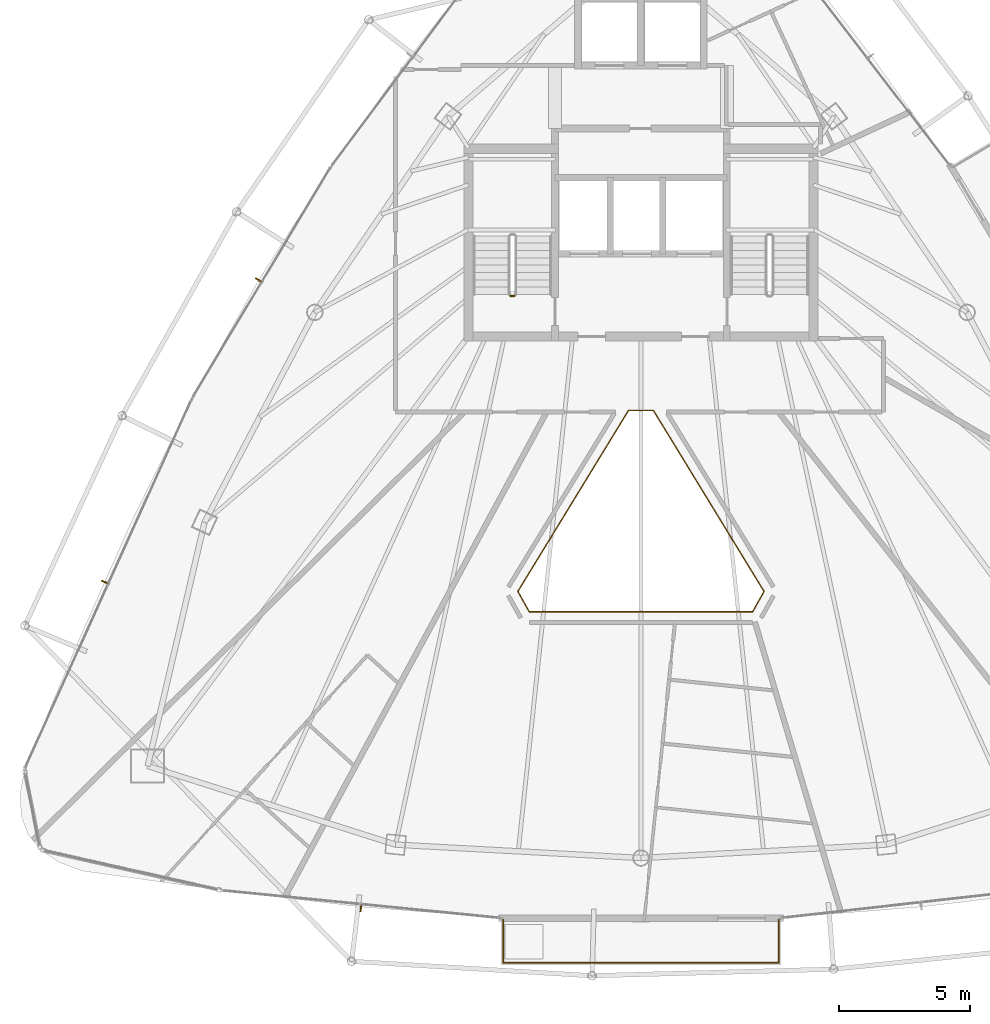
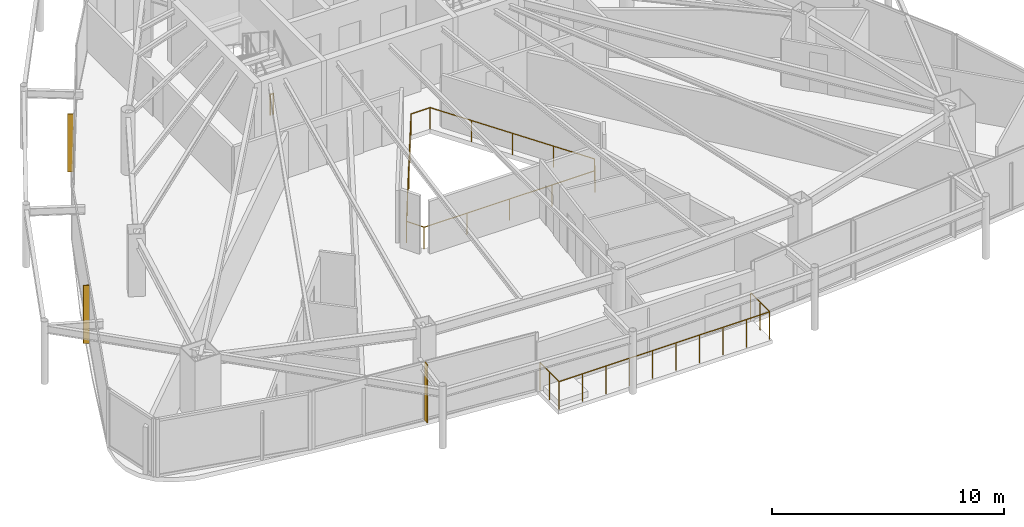
# One storey, part 32 of 34: 3 railings, 3 shading devices.
"""IFC4 building model written with IfcOpenShell, lengths in metres."""

from ifc_helpers import new_model, si_unit, direction, frame, origin, origin_2d, place, context, subcontext, project, spatial, rectangle, circle, extrude, material, layer, layer_set, type_object, element, save


model = new_model("IFC4")

# Units and contexts
model_context = context("Model", 3, precision=1e-05, world=origin(), true_north=direction((0.0, 1.0)))
body_context = subcontext(model_context, "Body", "Model", "MODEL_VIEW")
ifc_project = project(units=[si_unit("LENGTHUNIT", "METRE"), si_unit("AREAUNIT", "SQUARE_METRE"), si_unit("VOLUMEUNIT", "CUBIC_METRE"), si_unit("PLANEANGLEUNIT", "RADIAN"), si_unit("MASSUNIT", "GRAM", prefix="KILO")], contexts=[model_context])

# Site, building, storey
site_placement = place(None, origin())
site = spatial("IfcSite", under=ifc_project, at=site_placement, CompositionType="ELEMENT")
building_placement = place(site_placement, origin())
building = spatial("IfcBuilding", under=site, at=building_placement, Name="Orvanel Arch Residences", CompositionType="ELEMENT")
storey_placement = place(building_placement, frame((0.0, 0.0, 199.699951171875)))
storey = spatial("IfcBuildingStorey", under=building, at=storey_placement, Name="L56", CompositionType="ELEMENT", Elevation=199.699951171875)

# Shading devices
ifc_material_1 = material(Name="Bronze-anodised aluminium AA6063-T6", Category="aluminium")
ifc_layer = layer(ifc_material_1, 0.050048828125)
ifc_layer_set = layer_set([ifc_layer], Name="Bronze-anodised aluminium AA6063-T6")
shading_device_type = type_object("IfcShadingDeviceType", Name="FIN-BRZ-260", PredefinedType="USERDEFINED", material=ifc_layer_set)
for number, where, z_axis, x_axis, name in (
    (1, (18.4169921875, 28.8779296875, 0.0), (0.0, 0.0, 1.0), (-0.857167300702, 0.51503807491, 0.0), "L56 Anodised Bronze Mullion FIN 01"),
    (2, (12.55908203125, 17.363037109375, 0.0), (0.0, 0.0, 1.0), (-0.911403276635, 0.411514358605, 0.0), "L56 Anodised Bronze Mullion FIN 01"),
    (3, (22.326904296875, 4.927978515625, 0.0), (0.0, 0.0, 1.0), (-0.097582899759, -0.995227399982, 0.0), "L56 Anodised Bronze Mullion FIN 01"),
):
    element("IfcShadingDevice", number, at=place(storey_placement, frame(where, z_axis=z_axis, x_axis=x_axis)), inside=storey, type_object=shading_device_type, Name=name, ObjectType="FIN", PredefinedType="USERDEFINED", context=body_context, shape_type="SweptSolid", body=[
        extrude(rectangle(XDim=0.260009765625, YDim=0.050048828125, at=origin_2d()), origin(), (0.0, 0.0, 1.0), 3.06005859375),
    ])

# Railings
railing_type_1 = type_object("IfcRailingType", Name="RL-ATR-1150", PredefinedType="BALUSTRADE", material=ifc_material_1)
railing_1_placement = place(storey_placement, frame((33.47509765625, 23.89794921875, 0.0)))
element("IfcRailing", 4, at=railing_1_placement, inside=storey, type_object=railing_type_1, Name="L56 Atrium Void Protective Balustrade", PredefinedType="BALUSTRADE", context=body_context, shape_type="SweptSolid", body=[
    extrude(circle(Radius=0.02392578125, at=origin_2d()), frame((-0.00146484375, 0.0, 1.1259765625), z_axis=(-1.0, 0.0, 0.0), x_axis=(0.0, -1.0, 0.0)), (0.0, 0.0, 1.0), 0.947265625),
    extrude(circle(Radius=0.02392578125, at=origin_2d()), frame((-0.950927734375, -0.001220703125, 1.1259765625), z_axis=(-0.521558814425, -0.853215332197, 0.0), x_axis=(0.853215332197, -0.521558814425, 0.0)), (0.0, 0.0, 1.0), 8.074462890625),
    extrude(circle(Radius=0.02392578125, at=origin_2d()), frame((-5.162353515625, -6.89306640625, 1.1259765625), z_axis=(0.488036178219, -0.872823400665, 0.0), x_axis=(0.872823400665, 0.488036178219, 0.0)), (0.0, 0.0, 1.0), 0.888427734375),
    extrude(circle(Radius=0.02392578125, at=origin_2d()), frame((-4.7265625, -7.669921875, 1.1259765625), z_axis=(1.0, 0.0, 0.0), x_axis=(0.0, 1.0, 0.0)), (0.0, 0.0, 1.0), 8.5029296875),
    extrude(circle(Radius=0.02392578125, at=origin_2d()), frame((3.778564453125, -7.668701171875, 1.1259765625), z_axis=(0.488036178219, 0.872823400665, 0.0), x_axis=(-0.872823400665, 0.488036178219, 0.0)), (0.0, 0.0, 1.0), 0.888427734375),
    extrude(circle(Radius=0.02392578125, at=origin_2d()), frame((4.212158203125, -6.890625, 1.1259765625), z_axis=(-0.521558814425, 0.853215332197, 0.0), x_axis=(-0.853215332197, -0.521558814425, 0.0)), (0.0, 0.0, 1.0), 8.074462890625),
    extrude(circle(Radius=0.02099609375, at=origin_2d()), origin(), (0.0, 0.0, 1.0), 1.099853515625),
    extrude(circle(Radius=0.02099609375, at=origin_2d()), frame((-0.9501953125, 0.0, 0.0)), (0.0, 0.0, 1.0), 1.099853515625),
    extrude(circle(Radius=0.02099609375, at=origin_2d()), frame((-2.00341796875, -1.722900390625, 0.0)), (0.0, 0.0, 1.0), 1.099853515625),
    extrude(circle(Radius=0.02099609375, at=origin_2d()), frame((-3.056640625, -3.44580078125, 0.0)), (0.0, 0.0, 1.0), 1.099853515625),
    extrude(circle(Radius=0.02099609375, at=origin_2d()), frame((-4.10986328125, -5.1689453125, 0.0)), (0.0, 0.0, 1.0), 1.099853515625),
    extrude(circle(Radius=0.02099609375, at=origin_2d()), frame((-5.1630859375, -6.891845703125, 0.0)), (0.0, 0.0, 1.0), 1.099853515625),
    extrude(circle(Radius=0.02099609375, at=origin_2d()), frame((-4.72802734375, -7.669921875, 0.0)), (0.0, 0.0, 1.0), 1.099853515625),
    extrude(circle(Radius=0.02099609375, at=origin_2d()), frame((-2.6015625, -7.669921875, 0.0)), (0.0, 0.0, 1.0), 1.099853515625),
    extrude(circle(Radius=0.02099609375, at=origin_2d()), frame((-0.47509765625, -7.669921875, 0.0)), (0.0, 0.0, 1.0), 1.099853515625),
    extrude(circle(Radius=0.02099609375, at=origin_2d()), frame((1.6513671875, -7.669921875, 0.0)), (0.0, 0.0, 1.0), 1.099853515625),
    extrude(circle(Radius=0.02099609375, at=origin_2d()), frame((3.77783203125, -7.669921875, 0.0)), (0.0, 0.0, 1.0), 1.099853515625),
    extrude(circle(Radius=0.02099609375, at=origin_2d()), frame((4.212890625, -6.891845703125, 0.0)), (0.0, 0.0, 1.0), 1.099853515625),
    extrude(circle(Radius=0.02099609375, at=origin_2d()), frame((3.15966796875, -5.1689453125, 0.0)), (0.0, 0.0, 1.0), 1.099853515625),
    extrude(circle(Radius=0.02099609375, at=origin_2d()), frame((2.1064453125, -3.44580078125, 0.0)), (0.0, 0.0, 1.0), 1.099853515625),
    extrude(circle(Radius=0.02099609375, at=origin_2d()), frame((1.05322265625, -1.722900390625, 0.0)), (0.0, 0.0, 1.0), 1.099853515625),
])
railing_type_2 = type_object("IfcRailingType", Name="RL-BAL-1480", PredefinedType="BALUSTRADE", material=ifc_material_1)
railing_2_placement = place(storey_placement, frame((27.7509765625, 4.4951171875, 0.0)))
element("IfcRailing", 5, at=railing_2_placement, inside=storey, type_object=railing_type_2, Name="L56 Balcony Perimeter Guardrail Face 2", PredefinedType="BALUSTRADE", context=body_context, shape_type="SweptSolid", body=[
    extrude(circle(Radius=0.02392578125, at=origin_2d()), frame((0.0, -0.00146484375, 1.4560546875), z_axis=(0.0, -1.0, 0.0), x_axis=(1.0, 0.0, 0.0)), (0.0, 0.0, 1.0), 1.63720703125),
    extrude(circle(Radius=0.02392578125, at=origin_2d()), frame((0.00146484375, -1.64013671875, 1.4560546875), z_axis=(1.0, 0.0, 0.0), x_axis=(0.0, 1.0, 0.0)), (0.0, 0.0, 1.0), 10.4951171875),
    extrude(circle(Radius=0.02392578125, at=origin_2d()), frame((10.498046875, -1.638671875, 1.4560546875), z_axis=(0.0, 1.0, 0.0), x_axis=(-1.0, 0.0, 0.0)), (0.0, 0.0, 1.0), 1.63720703125),
    extrude(circle(Radius=0.02099609375, at=origin_2d()), origin(), (0.0, 0.0, 1.0), 1.429931640625),
    extrude(circle(Radius=0.02099609375, at=origin_2d()), frame((0.0, -0.820068359375, 0.0)), (0.0, 0.0, 1.0), 1.429931640625),
    extrude(circle(Radius=0.02099609375, at=origin_2d()), frame((0.0, -1.64013671875, 0.0)), (0.0, 0.0, 1.0), 1.429931640625),
    extrude(circle(Radius=0.02099609375, at=origin_2d()), frame((1.16650390625, -1.64013671875, 0.0)), (0.0, 0.0, 1.0), 1.429931640625),
    extrude(circle(Radius=0.02099609375, at=origin_2d()), frame((2.3330078125, -1.64013671875, 0.0)), (0.0, 0.0, 1.0), 1.429931640625),
    extrude(circle(Radius=0.02099609375, at=origin_2d()), frame((3.499267578125, -1.64013671875, 0.0)), (0.0, 0.0, 1.0), 1.429931640625),
    extrude(circle(Radius=0.02099609375, at=origin_2d()), frame((4.665771484375, -1.64013671875, 0.0)), (0.0, 0.0, 1.0), 1.429931640625),
    extrude(circle(Radius=0.02099609375, at=origin_2d()), frame((5.832275390625, -1.64013671875, 0.0)), (0.0, 0.0, 1.0), 1.429931640625),
    extrude(circle(Radius=0.02099609375, at=origin_2d()), frame((6.998779296875, -1.64013671875, 0.0)), (0.0, 0.0, 1.0), 1.429931640625),
    extrude(circle(Radius=0.02099609375, at=origin_2d()), frame((8.1650390625, -1.64013671875, 0.0)), (0.0, 0.0, 1.0), 1.429931640625),
    extrude(circle(Radius=0.02099609375, at=origin_2d()), frame((9.33154296875, -1.64013671875, 0.0)), (0.0, 0.0, 1.0), 1.429931640625),
    extrude(circle(Radius=0.02099609375, at=origin_2d()), frame((10.498046875, -1.64013671875, 0.0)), (0.0, 0.0, 1.0), 1.429931640625),
    extrude(circle(Radius=0.02099609375, at=origin_2d()), frame((10.498046875, -0.820068359375, 0.0)), (0.0, 0.0, 1.0), 1.429931640625),
    extrude(circle(Radius=0.02099609375, at=origin_2d()), frame((10.498046875, 0.0, 0.0)), (0.0, 0.0, 1.0), 1.429931640625),
])
ifc_material_2 = material(Name="Structural steel AS/NZS 1163 C350L0 (Grade 350)", Category="steel")
railing_type_3 = type_object("IfcRailingType", Name="RL-STAIR-GUARD", PredefinedType="GUARDRAIL", material=ifc_material_2)
railing_3_placement = place(storey_placement, frame((28.179931640625, 28.27001953125, 0.0)))
element("IfcRailing", 6, at=railing_3_placement, inside=storey, type_object=railing_type_3, Name="L56 ST-1 stair guard 4", PredefinedType="GUARDRAIL", context=body_context, shape_type="SweptSolid", body=[
    extrude(circle(Radius=0.02392578125, at=origin_2d()), frame((-0.00146484375, 0.0, 1.076171875), z_axis=(-1.0, 0.0, 0.0), x_axis=(0.0, -1.0, 0.0)), (0.0, 0.0, 1.0), 0.156982421875),
    extrude(circle(Radius=0.02099609375, at=origin_2d()), origin(), (0.0, 0.0, 1.0), 1.050048828125),
    extrude(circle(Radius=0.02099609375, at=origin_2d()), frame((-0.159912109375, 0.0, 0.0)), (0.0, 0.0, 1.0), 1.050048828125),
])

save(model, "model.ifc")
